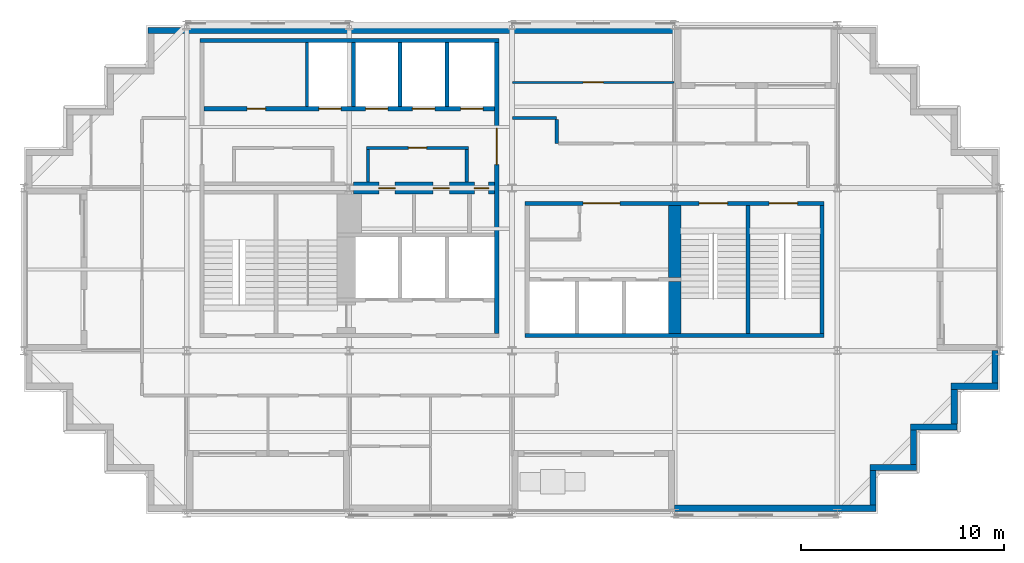
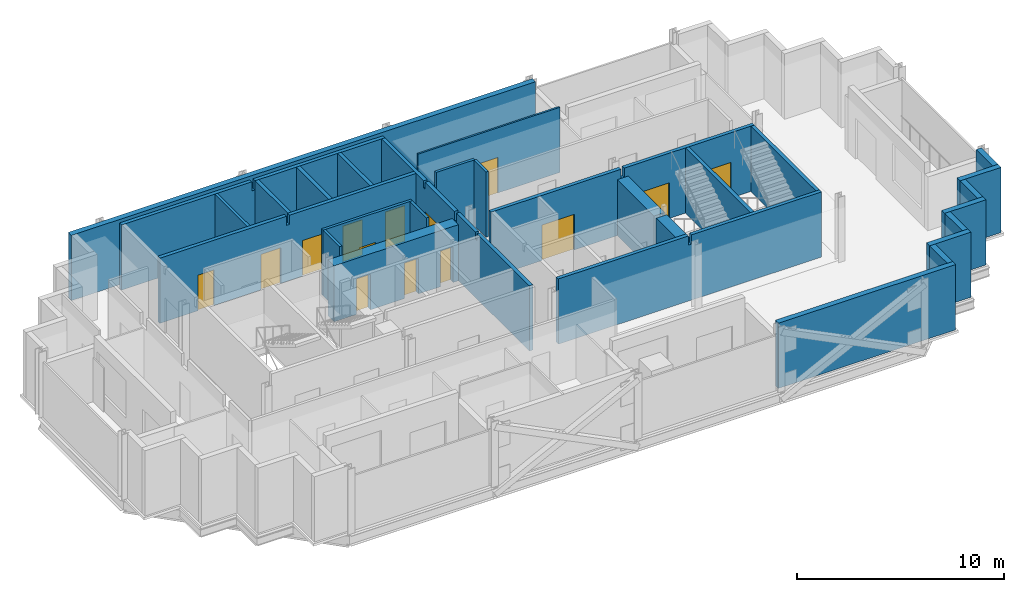
# One storey, part 6 of 10: 29 walls, 14 doors, 14 openings.
"""IFC4 building model written with IfcOpenShell, lengths in metres."""

from ifc_helpers import new_model, si_unit, direction, frame, frame_2d, origin, place, context, subcontext, project, spatial, polyline, rectangle, outline, extrude, material, layer, layer_set, type_object, element, fill, save


model = new_model("IFC4")

# Units and contexts
model_context = context("Model", 3, precision=1e-05, world=origin(), true_north=direction((0.0, 1.0)))
body_context = subcontext(model_context, "Body", "Model", "MODEL_VIEW")
ifc_project = project(units=[si_unit("LENGTHUNIT", "METRE"), si_unit("AREAUNIT", "SQUARE_METRE"), si_unit("VOLUMEUNIT", "CUBIC_METRE"), si_unit("PLANEANGLEUNIT", "RADIAN"), si_unit("MASSUNIT", "GRAM", prefix="KILO")], contexts=[model_context])

# Site, building, storey
site_placement = place(None, origin())
site = spatial("IfcSite", under=ifc_project, at=site_placement, CompositionType="ELEMENT")
building_placement = place(site_placement, origin())
building = spatial("IfcBuilding", under=site, at=building_placement, Name="Immortelle Media Tower", CompositionType="ELEMENT")
storey_placement = place(building_placement, frame((0.0, 0.0, 213.0)))
storey = spatial("IfcBuildingStorey", under=building, at=storey_placement, Name="L45", CompositionType="ELEMENT", Elevation=213.0)

# Wall, openings, doors
ifc_material_1 = material(Name="Fire-rated masonry blockwork", Category="masonry")
ifc_layer_1 = layer(ifc_material_1, 0.60009765625)
ifc_layer_set_1 = layer_set([ifc_layer_1], Name="Fire-rated masonry blockwork")
wall_type_1 = type_object("IfcWallType", Name="Core grid-line wall 600", PredefinedType="PARTITIONING", material=ifc_layer_set_1)
wall_1_placement = place(storey_placement, frame((16.20703125, 16.0, 0.0), z_axis=(0.0, 0.0, 1.0), x_axis=(1.0, 0.0, 0.0)))
wall_1 = element("IfcWall", 1, at=wall_1_placement, inside=storey, type_object=wall_type_1, Name="Core grid-line wall SW", PredefinedType="PARTITIONING", context=body_context, shape_type="SweptSolid", body=[
    extrude(rectangle(XDim=6.94287109375, YDim=0.60009765625, at=frame_2d((3.471435546875, 0.0))), origin(), (0.0, 0.0, 1.0), 3.30810546875),
])
opening_1_placement = place(wall_1_placement, frame((1.242919921875, 0.0, 0.0)))
opening_1 = element("IfcOpeningElement", 2, at=opening_1_placement, cuts=wall_1, Name="Opening O3-K010", PredefinedType="OPENING", context=body_context, shape_type="SweptSolid", body=[
    extrude(rectangle(XDim=0.800048828125, YDim=2.10009765625, at=frame_2d((0.39990234375, 1.050048828125))), frame((0.0, 0.31005859375, 0.0), z_axis=(0.0, -1.0, 0.0), x_axis=(1.0, 0.0, 0.0)), (0.0, 0.0, 1.0), 0.6201171875),
])
opening_2_placement = place(wall_1_placement, frame((3.91796875, 0.0, 0.0)))
opening_2 = element("IfcOpeningElement", 3, at=opening_2_placement, cuts=wall_1, Name="Opening O3-K015", PredefinedType="OPENING", context=body_context, shape_type="SweptSolid", body=[
    extrude(rectangle(XDim=0.800048828125, YDim=2.10009765625, at=frame_2d((0.39990234375, 1.050048828125))), frame((0.0, 0.31005859375, 0.0), z_axis=(0.0, -1.0, 0.0), x_axis=(1.0, 0.0, 0.0)), (0.0, 0.0, 1.0), 0.6201171875),
])
opening_3_placement = place(wall_1_placement, frame((6.64306640625, 0.0, 0.0), z_axis=(0.0, 0.0, 1.0), x_axis=(-1.0, 0.0, 0.0)))
opening_3 = element("IfcOpeningElement", 4, at=opening_3_placement, cuts=wall_1, Name="Opening O3-K018", PredefinedType="OPENING", context=body_context, shape_type="SweptSolid", body=[
    extrude(rectangle(XDim=0.699951171875, YDim=2.10009765625, at=frame_2d((0.35009765625, 1.050048828125))), frame((0.0, 0.31005859375, 0.0), z_axis=(0.0, -1.0, 0.0), x_axis=(1.0, 0.0, 0.0)), (0.0, 0.0, 1.0), 0.6201171875),
])
ifc_material_2 = material(Name="Galvanised steel door leaf and frame ASTM A653", Category="steel")
door_type_1 = type_object("IfcDoorType", Name="Service door 700 x 2100", OperationType="NOTDEFINED", PredefinedType="NOTDEFINED", material=ifc_material_2)
door_1_placement = place(opening_3_placement, origin())
door_1 = element("IfcDoor", 5, at=door_1_placement, inside=storey, type_object=door_type_1, Name="Service O3-K018", OperationType="SINGLE_SWING_RIGHT", OverallHeight=2.10009765625, OverallWidth=0.699951171875, PredefinedType="NOTDEFINED", context=body_context, shape_type="SweptSolid", body=[
    extrude(rectangle(XDim=0.699951171875, YDim=2.10009765625, at=frame_2d((0.35009765625, 1.050048828125))), frame((0.0, 0.02490234375, 0.0), z_axis=(0.0, -1.0, 0.0), x_axis=(1.0, 0.0, 0.0)), (0.0, 0.0, 1.0), 0.050048828125),
])
fill(opening_3, door_1)
ifc_material_3 = material(Name="Timber", Category="wood")
door_type_2 = type_object("IfcDoorType", Name="Toilet door 800 x 2100", OperationType="NOTDEFINED", PredefinedType="NOTDEFINED", material=ifc_material_3)
door_2_placement = place(opening_1_placement, origin())
door_2 = element("IfcDoor", 6, at=door_2_placement, inside=storey, type_object=door_type_2, Name="Toilet O3-K010", OperationType="SINGLE_SWING_LEFT", OverallHeight=2.10009765625, OverallWidth=0.800048828125, PredefinedType="NOTDEFINED", context=body_context, shape_type="SweptSolid", body=[
    extrude(rectangle(XDim=0.800048828125, YDim=2.10009765625, at=frame_2d((0.39990234375, 1.050048828125))), frame((0.0, 0.02490234375, 0.0), z_axis=(0.0, -1.0, 0.0), x_axis=(1.0, 0.0, 0.0)), (0.0, 0.0, 1.0), 0.050048828125),
])
fill(opening_1, door_2)
door_3_placement = place(opening_2_placement, origin())
door_3 = element("IfcDoor", 7, at=door_3_placement, inside=storey, type_object=door_type_2, Name="Toilet O3-K015", OperationType="SINGLE_SWING_RIGHT", OverallHeight=2.10009765625, OverallWidth=0.800048828125, PredefinedType="NOTDEFINED", context=body_context, shape_type="SweptSolid", body=[
    extrude(rectangle(XDim=0.800048828125, YDim=2.10009765625, at=frame_2d((0.39990234375, 1.050048828125))), frame((0.0, 0.02490234375, 0.0), z_axis=(0.0, -1.0, 0.0), x_axis=(1.0, 0.0, 0.0)), (0.0, 0.0, 1.0), 0.050048828125),
])
fill(opening_2, door_3)

# Walls
ifc_material_4 = material(Name="Fire-rated gypsum board", Category="gypsum")
ifc_layer_2 = layer(ifc_material_4, 0.02490234375)
ifc_material_5 = material(Name="Steel ASTM A653 SS Gr 50 stud frame with mineral wool", Category="steel")
ifc_layer_3 = layer(ifc_material_5, 0.10009765625)
ifc_layer_4 = layer(ifc_material_4, 0.02490234375)
ifc_layer_set_2 = layer_set([ifc_layer_2, ifc_layer_3, ifc_layer_4], Name="Steel ASTM A653 SS Gr 50 stud frame with mineral wool")
wall_type_2 = type_object("IfcWallType", Name="Core partition 150", PredefinedType="PARTITIONING", material=ifc_layer_set_2)
wall_2_placement = place(storey_placement, frame((13.925048828125, 20.0, 0.0), z_axis=(0.0, 0.0, 1.0), x_axis=(0.0, 1.0, 0.0)))
element("IfcWall", 8, at=wall_2_placement, inside=storey, type_object=wall_type_2, Name="Core partition SW", PredefinedType="PARTITIONING", context=body_context, shape_type="SweptSolid", body=[
    extrude(rectangle(XDim=3.14990234375, YDim=0.14990234375, at=frame_2d((1.574951171875, 0.0))), origin(), (0.0, 0.0, 1.0), 3.85009765625),
])
wall_3_placement = place(storey_placement, frame((16.925048828125, 16.300048828125, 0.0), z_axis=(0.0, 0.0, 1.0), x_axis=(0.0, 1.0, 0.0)))
element("IfcWall", 9, at=wall_3_placement, inside=storey, type_object=wall_type_2, Name="Core partition SW", PredefinedType="PARTITIONING", context=body_context, shape_type="SweptSolid", body=[
    extrude(rectangle(XDim=1.599853515625, YDim=0.14990234375, at=frame_2d((0.7998046875, 0.0))), origin(), (0.0, 0.0, 1.0), 3.85009765625),
])

# Wall, opening, door
wall_4_placement = place(storey_placement, frame((16.85009765625, 17.97509765625, 0.0), z_axis=(0.0, 0.0, 1.0), x_axis=(1.0, 0.0, 0.0)))
wall_4 = element("IfcWall", 10, at=wall_4_placement, inside=storey, type_object=wall_type_2, Name="Core partition SW", PredefinedType="PARTITIONING", context=body_context, shape_type="SweptSolid", body=[
    extrude(rectangle(XDim=5.0, YDim=0.14990234375, at=frame_2d((2.5, 0.0))), origin(), (0.0, 0.0, 1.0), 3.85009765625),
])
opening_4_placement = place(wall_4_placement, frame((2.949951171875, 0.0, 0.0), z_axis=(0.0, 0.0, 1.0), x_axis=(-1.0, 0.0, 0.0)))
opening_4 = element("IfcOpeningElement", 11, at=opening_4_placement, cuts=wall_4, Name="Opening O3-K011", PredefinedType="OPENING", context=body_context, shape_type="SweptSolid", body=[
    extrude(rectangle(XDim=0.89990234375, YDim=2.10009765625, at=frame_2d((0.449951171875, 1.050048828125))), frame((0.0, 0.0849609375, 0.0), z_axis=(0.0, -1.0, 0.0), x_axis=(1.0, 0.0, 0.0)), (0.0, 0.0, 1.0), 0.169921875),
])
door_type_3 = type_object("IfcDoorType", Name="Room door 900 x 2100", OperationType="NOTDEFINED", PredefinedType="NOTDEFINED", material=ifc_material_3)
door_4_placement = place(opening_4_placement, origin())
door_4 = element("IfcDoor", 12, at=door_4_placement, inside=storey, type_object=door_type_3, Name="Room O3-K011", OperationType="SINGLE_SWING_RIGHT", OverallHeight=2.10009765625, OverallWidth=0.89990234375, PredefinedType="NOTDEFINED", context=body_context, shape_type="SweptSolid", body=[
    extrude(rectangle(XDim=0.89990234375, YDim=2.10009765625, at=frame_2d((0.449951171875, 1.050048828125))), frame((0.0, 0.02490234375, 0.0), z_axis=(0.0, -1.0, 0.0), x_axis=(1.0, 0.0, 0.0)), (0.0, 0.0, 1.0), 0.050048828125),
])
fill(opening_4, door_4)

# Walls
wall_5_placement = place(storey_placement, frame((21.77490234375, 16.300048828125, 0.0), z_axis=(0.0, 0.0, 1.0), x_axis=(0.0, 1.0, 0.0)))
element("IfcWall", 13, at=wall_5_placement, inside=storey, type_object=wall_type_2, Name="Core partition SW", PredefinedType="PARTITIONING", context=body_context, shape_type="SweptSolid", body=[
    extrude(rectangle(XDim=1.599853515625, YDim=0.14990234375, at=frame_2d((0.7998046875, 0.0))), origin(), (0.0, 0.0, 1.0), 3.85009765625),
])
ifc_layer_5 = layer(ifc_material_4, 0.03759765625)
ifc_layer_6 = layer(ifc_material_5, 0.125)
ifc_layer_7 = layer(ifc_material_4, 0.03759765625)
ifc_layer_set_3 = layer_set([ifc_layer_5, ifc_layer_6, ifc_layer_7], Name="Steel ASTM A653 SS Gr 50 stud frame with mineral wool")
wall_type_3 = type_object("IfcWallType", Name="Core shaft wall 200", PredefinedType="PARTITIONING", material=ifc_layer_set_3)
wall_6_placement = place(storey_placement, frame((8.64990234375, 23.25, 0.0), z_axis=(0.0, 0.0, 1.0), x_axis=(1.0, 0.0, 0.0)))
element("IfcWall", 14, at=wall_6_placement, inside=storey, type_object=wall_type_3, Name="Core shaft wall SW", PredefinedType="PARTITIONING", context=body_context, shape_type="SweptSolid", body=[
    extrude(outline(polyline([(0.0, 0.0), (14.7001953125, 0.0), (14.699951171875, 3.85009765625), (7.4384765625, 3.85009765625), (7.4375, 3.30810546875), (7.262451171875, 3.30810546875), (7.261474609375, 3.85009765625), (0.0, 3.85009765625), (0.0, 0.0)])), frame((0.0, 0.10009765625, 0.0), z_axis=(0.0, -1.0, 0.0), x_axis=(1.0, 0.0, 0.0)), (0.0, 0.0, 1.0), 0.199951171875),
])

# Wall, openings, doors
wall_7_placement = place(storey_placement, frame((8.85009765625, 19.89990234375, 0.0), z_axis=(0.0, 0.0, 1.0), x_axis=(1.0, 0.0, 0.0)))
wall_7 = element("IfcWall", 15, at=wall_7_placement, inside=storey, type_object=wall_type_3, Name="Core shaft wall SW", PredefinedType="PARTITIONING", context=body_context, shape_type="SweptSolid", body=[
    extrude(outline(polyline([(0.0, 0.0), (14.2998046875, 0.0), (14.300048828125, 3.85009765625), (7.238525390625, 3.85009765625), (7.237548828125, 3.30810546875), (7.0625, 3.30810546875), (7.0615234375, 3.85009765625), (0.0, 3.85009765625), (0.0, 0.0)])), frame((0.0, 0.10009765625, 0.0), z_axis=(0.0, -1.0, 0.0), x_axis=(1.0, 0.0, 0.0)), (0.0, 0.0, 1.0), 0.199951171875),
])
opening_5_placement = place(wall_7_placement, frame((2.125, 0.0, 0.0)))
opening_5 = element("IfcOpeningElement", 16, at=opening_5_placement, cuts=wall_7, Name="Opening O3-K003", PredefinedType="OPENING", context=body_context, shape_type="SweptSolid", body=[
    extrude(rectangle(XDim=0.89990234375, YDim=2.10009765625, at=frame_2d((0.449951171875, 1.050048828125))), frame((0.0, 0.10986328125, 0.0), z_axis=(0.0, -1.0, 0.0), x_axis=(1.0, 0.0, 0.0)), (0.0, 0.0, 1.0), 0.219970703125),
])
opening_6_placement = place(wall_7_placement, frame((5.64990234375, 0.0, 0.0)))
opening_6 = element("IfcOpeningElement", 17, at=opening_6_placement, cuts=wall_7, Name="Opening LD", PredefinedType="OPENING", context=body_context, shape_type="SweptSolid", body=[
    extrude(rectangle(XDim=1.10009765625, YDim=2.10009765625, at=frame_2d((0.550048828125, 1.050048828125))), frame((0.0, 0.10986328125, 0.0), z_axis=(0.0, -1.0, 0.0), x_axis=(1.0, 0.0, 0.0)), (0.0, 0.0, 1.0), 0.219970703125),
])
opening_7_placement = place(wall_7_placement, frame((7.949951171875, 0.0, 0.0)))
opening_7 = element("IfcOpeningElement", 18, at=opening_7_placement, cuts=wall_7, Name="Opening LD", PredefinedType="OPENING", context=body_context, shape_type="SweptSolid", body=[
    extrude(rectangle(XDim=1.10009765625, YDim=2.10009765625, at=frame_2d((0.550048828125, 1.050048828125))), frame((0.0, 0.10986328125, 0.0), z_axis=(0.0, -1.0, 0.0), x_axis=(1.0, 0.0, 0.0)), (0.0, 0.0, 1.0), 0.219970703125),
])
opening_8_placement = place(wall_7_placement, frame((10.25, 0.0, 0.0)))
opening_8 = element("IfcOpeningElement", 19, at=opening_8_placement, cuts=wall_7, Name="Opening LD", PredefinedType="OPENING", context=body_context, shape_type="SweptSolid", body=[
    extrude(rectangle(XDim=1.10009765625, YDim=2.10009765625, at=frame_2d((0.550048828125, 1.050048828125))), frame((0.0, 0.10986328125, 0.0), z_axis=(0.0, -1.0, 0.0), x_axis=(1.0, 0.0, 0.0)), (0.0, 0.0, 1.0), 0.219970703125),
])
opening_9_placement = place(wall_7_placement, frame((12.625, 0.0, 0.0)))
opening_9 = element("IfcOpeningElement", 20, at=opening_9_placement, cuts=wall_7, Name="Opening LD", PredefinedType="OPENING", context=body_context, shape_type="SweptSolid", body=[
    extrude(rectangle(XDim=1.10009765625, YDim=2.10009765625, at=frame_2d((0.550048828125, 1.050048828125))), frame((0.0, 0.10986328125, 0.0), z_axis=(0.0, -1.0, 0.0), x_axis=(1.0, 0.0, 0.0)), (0.0, 0.0, 1.0), 0.219970703125),
])
ifc_material_6 = material(Name="Stainless steel AISI 304", Category="steel")
door_type_4 = type_object("IfcDoorType", Name="Landing door 1100 x 2100", OperationType="SLIDING_TO_LEFT", PredefinedType="NOTDEFINED", material=ifc_material_6)
door_5_placement = place(opening_6_placement, origin())
door_5 = element("IfcDoor", 21, at=door_5_placement, inside=storey, type_object=door_type_4, Name="Landing door HR1 L45", OperationType="SLIDING_TO_LEFT", OverallHeight=2.10009765625, OverallWidth=1.10009765625, PredefinedType="NOTDEFINED", context=body_context, shape_type="SweptSolid", body=[
    extrude(rectangle(XDim=1.10009765625, YDim=2.10009765625, at=frame_2d((0.550048828125, 1.050048828125))), frame((0.0, 0.02490234375, 0.0), z_axis=(0.0, -1.0, 0.0), x_axis=(1.0, 0.0, 0.0)), (0.0, 0.0, 1.0), 0.050048828125),
])
fill(opening_6, door_5)
door_6_placement = place(opening_7_placement, origin())
door_6 = element("IfcDoor", 22, at=door_6_placement, inside=storey, type_object=door_type_4, Name="Landing door HR2 L45", OperationType="SLIDING_TO_LEFT", OverallHeight=2.10009765625, OverallWidth=1.10009765625, PredefinedType="NOTDEFINED", context=body_context, shape_type="SweptSolid", body=[
    extrude(rectangle(XDim=1.10009765625, YDim=2.10009765625, at=frame_2d((0.550048828125, 1.050048828125))), frame((0.0, 0.02490234375, 0.0), z_axis=(0.0, -1.0, 0.0), x_axis=(1.0, 0.0, 0.0)), (0.0, 0.0, 1.0), 0.050048828125),
])
fill(opening_7, door_6)
door_7_placement = place(opening_8_placement, origin())
door_7 = element("IfcDoor", 23, at=door_7_placement, inside=storey, type_object=door_type_4, Name="Landing door HR3 L45", OperationType="SLIDING_TO_LEFT", OverallHeight=2.10009765625, OverallWidth=1.10009765625, PredefinedType="NOTDEFINED", context=body_context, shape_type="SweptSolid", body=[
    extrude(rectangle(XDim=1.10009765625, YDim=2.10009765625, at=frame_2d((0.550048828125, 1.050048828125))), frame((0.0, 0.02490234375, 0.0), z_axis=(0.0, -1.0, 0.0), x_axis=(1.0, 0.0, 0.0)), (0.0, 0.0, 1.0), 0.050048828125),
])
fill(opening_8, door_7)
door_8_placement = place(opening_9_placement, origin())
door_8 = element("IfcDoor", 24, at=door_8_placement, inside=storey, type_object=door_type_4, Name="Landing door HR4 L45", OperationType="SLIDING_TO_LEFT", OverallHeight=2.10009765625, OverallWidth=1.10009765625, PredefinedType="NOTDEFINED", context=body_context, shape_type="SweptSolid", body=[
    extrude(rectangle(XDim=1.10009765625, YDim=2.10009765625, at=frame_2d((0.550048828125, 1.050048828125))), frame((0.0, 0.02490234375, 0.0), z_axis=(0.0, -1.0, 0.0), x_axis=(1.0, 0.0, 0.0)), (0.0, 0.0, 1.0), 0.050048828125),
])
fill(opening_9, door_8)
door_9_placement = place(opening_5_placement, origin())
door_9 = element("IfcDoor", 25, at=door_9_placement, inside=storey, type_object=door_type_3, Name="Room O3-K003", OperationType="SINGLE_SWING_RIGHT", OverallHeight=2.10009765625, OverallWidth=0.89990234375, PredefinedType="NOTDEFINED", context=body_context, shape_type="SweptSolid", body=[
    extrude(rectangle(XDim=0.89990234375, YDim=2.10009765625, at=frame_2d((0.449951171875, 1.050048828125))), frame((0.0, 0.02490234375, 0.0), z_axis=(0.0, -1.0, 0.0), x_axis=(1.0, 0.0, 0.0)), (0.0, 0.0, 1.0), 0.050048828125),
])
fill(opening_5, door_9)

# Walls
for number, where, z_axis, x_axis, name in (
    (26, (16.199951171875, 20.0, 0.0), (0.0, 0.0, 1.0), (0.0, 1.0, 0.0), "Core shaft wall SW"),
    (27, (18.5, 20.0, 0.0), (0.0, 0.0, 1.0), (0.0, 1.0, 0.0), "Core shaft wall SW"),
    (28, (20.800048828125, 20.0, 0.0), (0.0, 0.0, 1.0), (0.0, 1.0, 0.0), "Core shaft wall SW"),
):
    element("IfcWall", number, at=place(storey_placement, frame(where, z_axis=z_axis, x_axis=x_axis)), inside=storey, type_object=wall_type_3, Name=name, PredefinedType="PARTITIONING", context=body_context, shape_type="SweptSolid", body=[
        extrude(rectangle(XDim=3.14990234375, YDim=0.199951171875, at=frame_2d((1.574951171875, 0.0))), origin(), (0.0, 0.0, 1.0), 3.85009765625),
    ])

# Wall, opening, door
wall_8_placement = place(storey_placement, frame((23.25, 8.85009765625, 0.0), z_axis=(0.0, 0.0, 1.0), x_axis=(0.0, 1.0, 0.0)))
wall_8 = element("IfcWall", 29, at=wall_8_placement, inside=storey, type_object=wall_type_3, Name="Core shaft wall SW", PredefinedType="PARTITIONING", context=body_context, shape_type="SweptSolid", body=[
    extrude(outline(polyline([(0.0, 0.0), (14.2998046875, 0.0), (14.300048828125, 3.85009765625), (10.22509765625, 3.85009765625), (10.22412109375, 3.43994140625), (10.075927734375, 3.43994140625), (10.074951171875, 3.85009765625), (7.238525390625, 3.85009765625), (7.237548828125, 3.30810546875), (7.0625, 3.30810546875), (7.0615234375, 3.85009765625), (5.22509765625, 3.85009765625), (5.22412109375, 3.43994140625), (5.075927734375, 3.43994140625), (5.074951171875, 3.85009765625), (0.0, 3.85009765625), (0.0, 0.0)])), frame((0.0, 0.10009765625, 0.0), z_axis=(0.0, -1.0, 0.0), x_axis=(1.0, 0.0, 0.0)), (0.0, 0.0, 1.0), 0.199951171875),
])
opening_10_placement = place(wall_8_placement, frame((8.300048828125, 0.0, 0.0)))
opening_10 = element("IfcOpeningElement", 30, at=opening_10_placement, cuts=wall_8, Name="Opening O3-K019", PredefinedType="OPENING", context=body_context, shape_type="SweptSolid", body=[
    extrude(rectangle(XDim=1.800048828125, YDim=2.10009765625, at=frame_2d((0.89990234375, 1.050048828125))), frame((0.0, 0.10986328125, 0.0), z_axis=(0.0, -1.0, 0.0), x_axis=(1.0, 0.0, 0.0)), (0.0, 0.0, 1.0), 0.219970703125),
])
door_type_5 = type_object("IfcDoorType", Name="Lift lobby door 1800 x 2100", OperationType="DOUBLE_DOOR_SINGLE_SWING", PredefinedType="NOTDEFINED", material=ifc_material_2)
door_10_placement = place(opening_10_placement, origin())
door_10 = element("IfcDoor", 31, at=door_10_placement, inside=storey, type_object=door_type_5, Name="Lift lobby O3-K019", OperationType="DOUBLE_DOOR_SINGLE_SWING", OverallHeight=2.10009765625, OverallWidth=1.800048828125, PredefinedType="NOTDEFINED", context=body_context, shape_type="SweptSolid", body=[
    extrude(rectangle(XDim=1.800048828125, YDim=2.10009765625, at=frame_2d((0.89990234375, 1.050048828125))), frame((0.0, 0.02490234375, 0.0), z_axis=(0.0, -1.0, 0.0), x_axis=(1.0, 0.0, 0.0)), (0.0, 0.0, 1.0), 0.050048828125),
])
fill(opening_10, door_10)

# Walls
ifc_layer_8 = layer(ifc_material_4, 0.012451171875)
ifc_layer_9 = layer(ifc_material_5, 0.125)
ifc_layer_10 = layer(ifc_material_4, 0.012451171875)
ifc_layer_set_4 = layer_set([ifc_layer_8, ifc_layer_9, ifc_layer_10], Name="Steel ASTM A653 SS Gr 50 stud frame with mineral wool")
wall_type_4 = type_object("IfcWallType", Name="Corridor wall 150", PredefinedType="PARTITIONING", material=ifc_layer_set_4)
wall_9_placement = place(storey_placement, frame((26.199951171875, 18.199951171875, 0.0), z_axis=(0.0, 0.0, 1.0), x_axis=(0.0, 1.0, 0.0)))
element("IfcWall", 32, at=wall_9_placement, inside=storey, type_object=wall_type_4, Name="Partition L45-019", PredefinedType="PARTITIONING", context=body_context, shape_type="SweptSolid", body=[
    extrude(rectangle(XDim=1.175048828125, YDim=0.14990234375, at=frame_2d((0.58740234375, 0.0))), origin(), (0.0, 0.0, 1.0), 3.85009765625),
])
wall_10_placement = place(storey_placement, frame((24.030029296875, 19.449951171875, 0.0), z_axis=(0.0, 0.0, 1.0), x_axis=(1.0, 0.0, 0.0)))
element("IfcWall", 33, at=wall_10_placement, inside=storey, type_object=wall_type_4, Name="Partition L45-023", PredefinedType="PARTITIONING", context=body_context, shape_type="SweptSolid", body=[
    extrude(rectangle(XDim=2.169921875, YDim=0.14990234375, at=frame_2d((1.0849609375, 0.0))), origin(), (0.0, 0.0, 1.0), 3.85009765625),
])
ifc_material_7 = material(Name="Pale aluminium cladding panel", Category="aluminium")
ifc_layer_11 = layer(ifc_material_7, 0.030029296875)
ifc_layer_12 = layer(ifc_material_5, 0.257568359375)
ifc_material_8 = material(Name="Moisture-resistant gypsum board", Category="gypsum")
ifc_layer_13 = layer(ifc_material_8, 0.012451171875)
ifc_layer_set_5 = layer_set([ifc_layer_11, ifc_layer_12, ifc_layer_13], Name="Steel ASTM A653 SS Gr 50 stud frame with mineral wool")
wall_type_5 = type_object("IfcWallType", Name="Facade wall 300", PredefinedType="SOLIDWALL", material=ifc_layer_set_5)
wall_11_placement = place(storey_placement, frame((32.0, 0.25, 0.0), z_axis=(0.0, 0.0, 1.0), x_axis=(1.0, 0.0, 0.0)))
element("IfcWall", 34, at=wall_11_placement, inside=storey, type_object=wall_type_5, Name="Facade wall L45 S6", PredefinedType="SOLIDWALL", context=body_context, shape_type="SweptSolid", body=[
    extrude(rectangle(XDim=9.89990234375, YDim=0.300048828125, at=frame_2d((4.949951171875, 0.0))), origin(), (0.0, 0.0, 1.0), 3.85009765625),
])
wall_12_placement = place(storey_placement, frame((41.75, 0.39990234375, 0.0), z_axis=(0.0, 0.0, 1.0), x_axis=(0.0, 1.0, 0.0)))
element("IfcWall", 35, at=wall_12_placement, inside=storey, type_object=wall_type_5, Name="Facade wall L45 E7", PredefinedType="SOLIDWALL", context=body_context, shape_type="SweptSolid", body=[
    extrude(rectangle(XDim=1.7001953125, YDim=0.300048828125, at=frame_2d((0.85009765625, 0.0))), origin(), (0.0, 0.0, 1.0), 3.85009765625),
])
wall_13_placement = place(storey_placement, frame((41.60009765625, 2.25, 0.0), z_axis=(0.0, 0.0, 1.0), x_axis=(1.0, 0.0, 0.0)))
element("IfcWall", 36, at=wall_13_placement, inside=storey, type_object=wall_type_5, Name="Facade wall L45 S8", PredefinedType="SOLIDWALL", context=body_context, shape_type="SweptSolid", body=[
    extrude(rectangle(XDim=2.2998046875, YDim=0.300048828125, at=frame_2d((1.14990234375, 0.0))), origin(), (0.0, 0.0, 1.0), 3.85009765625),
])
wall_14_placement = place(storey_placement, frame((43.75, 2.39990234375, 0.0), z_axis=(0.0, 0.0, 1.0), x_axis=(0.0, 1.0, 0.0)))
element("IfcWall", 37, at=wall_14_placement, inside=storey, type_object=wall_type_5, Name="Facade wall L45 E9", PredefinedType="SOLIDWALL", context=body_context, shape_type="SweptSolid", body=[
    extrude(rectangle(XDim=1.7001953125, YDim=0.300048828125, at=frame_2d((0.85009765625, 0.0))), origin(), (0.0, 0.0, 1.0), 3.85009765625),
])
wall_15_placement = place(storey_placement, frame((43.60009765625, 4.25, 0.0), z_axis=(0.0, 0.0, 1.0), x_axis=(1.0, 0.0, 0.0)))
element("IfcWall", 38, at=wall_15_placement, inside=storey, type_object=wall_type_5, Name="Facade wall L45 S10", PredefinedType="SOLIDWALL", context=body_context, shape_type="SweptSolid", body=[
    extrude(rectangle(XDim=2.2998046875, YDim=0.300048828125, at=frame_2d((1.14990234375, 0.0))), origin(), (0.0, 0.0, 1.0), 3.85009765625),
])
wall_16_placement = place(storey_placement, frame((45.75, 4.39990234375, 0.0), z_axis=(0.0, 0.0, 1.0), x_axis=(0.0, 1.0, 0.0)))
element("IfcWall", 39, at=wall_16_placement, inside=storey, type_object=wall_type_5, Name="Facade wall L45 E11", PredefinedType="SOLIDWALL", context=body_context, shape_type="SweptSolid", body=[
    extrude(rectangle(XDim=1.7001953125, YDim=0.300048828125, at=frame_2d((0.85009765625, 0.0))), origin(), (0.0, 0.0, 1.0), 3.85009765625),
])
wall_17_placement = place(storey_placement, frame((45.60009765625, 6.25, 0.0), z_axis=(0.0, 0.0, 1.0), x_axis=(1.0, 0.0, 0.0)))
element("IfcWall", 40, at=wall_17_placement, inside=storey, type_object=wall_type_5, Name="Facade wall L45 S12", PredefinedType="SOLIDWALL", context=body_context, shape_type="SweptSolid", body=[
    extrude(rectangle(XDim=2.2998046875, YDim=0.300048828125, at=frame_2d((1.14990234375, 0.0))), origin(), (0.0, 0.0, 1.0), 3.85009765625),
])
wall_18_placement = place(storey_placement, frame((47.75, 6.39990234375, 0.0), z_axis=(0.0, 0.0, 1.0), x_axis=(0.0, 1.0, 0.0)))
element("IfcWall", 41, at=wall_18_placement, inside=storey, type_object=wall_type_5, Name="Facade wall L45 E13", PredefinedType="SOLIDWALL", context=body_context, shape_type="SweptSolid", body=[
    extrude(rectangle(XDim=1.60009765625, YDim=0.300048828125, at=frame_2d((0.800048828125, 0.0))), origin(), (0.0, 0.0, 1.0), 3.85009765625),
])
wall_19_placement = place(storey_placement, frame((32.0, 23.75, 0.0), z_axis=(0.0, 0.0, 1.0), x_axis=(-1.0, 0.0, 0.0)))
element("IfcWall", 42, at=wall_19_placement, inside=storey, type_object=wall_type_5, Name="Facade wall L45 N20", PredefinedType="SOLIDWALL", context=body_context, shape_type="SweptSolid", body=[
    extrude(rectangle(XDim=25.89990234375, YDim=0.300048828125, at=frame_2d((12.949951171875, 0.0))), origin(), (0.0, 0.0, 1.0), 3.85009765625),
])

# Wall, opening, door
ifc_material_9 = material(Name="Gypsum board", Category="gypsum")
ifc_layer_14 = layer(ifc_material_9, 0.012451171875)
ifc_layer_15 = layer(ifc_material_5, 0.074951171875)
ifc_layer_16 = layer(ifc_material_9, 0.012451171875)
ifc_layer_set_6 = layer_set([ifc_layer_14, ifc_layer_15, ifc_layer_16], Name="Steel ASTM A653 SS Gr 50 stud frame with mineral wool")
wall_type_6 = type_object("IfcWallType", Name="Partition 100", PredefinedType="PARTITIONING", material=ifc_layer_set_6)
wall_20_placement = place(storey_placement, frame((24.030029296875, 21.199951171875, 0.0), z_axis=(0.0, 0.0, 1.0), x_axis=(1.0, 0.0, 0.0)))
wall_20 = element("IfcWall", 43, at=wall_20_placement, inside=storey, type_object=wall_type_6, Name="Partition L45-024", PredefinedType="PARTITIONING", context=body_context, shape_type="SweptSolid", body=[
    extrude(rectangle(XDim=7.93994140625, YDim=0.10009765625, at=frame_2d((3.969970703125, 0.0))), origin(), (0.0, 0.0, 1.0), 3.85009765625),
])
opening_11_placement = place(wall_20_placement, frame((3.469970703125, 0.0, 0.0)))
opening_11 = element("IfcOpeningElement", 44, at=opening_11_placement, cuts=wall_20, Name="Opening O3-F014", PredefinedType="OPENING", context=body_context, shape_type="SweptSolid", body=[
    extrude(rectangle(XDim=1.0, YDim=2.10009765625, at=frame_2d((0.5, 1.050048828125))), frame((0.0, 0.06005859375, 0.0), z_axis=(0.0, -1.0, 0.0), x_axis=(1.0, 0.0, 0.0)), (0.0, 0.0, 1.0), 0.1201171875),
])
ifc_material_10 = material(Name="Timber veneered door leaf, galvanised steel frame ASTM A653", Category="steel")
door_type_6 = type_object("IfcDoorType", Name="Room door 1000 x 2100", OperationType="NOTDEFINED", PredefinedType="DOOR", material=ifc_material_10)
door_11_placement = place(opening_11_placement, origin())
door_11 = element("IfcDoor", 45, at=door_11_placement, inside=storey, type_object=door_type_6, Name="Door O3-F014", OperationType="SINGLE_SWING_RIGHT", OverallHeight=2.10009765625, OverallWidth=1.0, PredefinedType="DOOR", context=body_context, shape_type="SweptSolid", body=[
    extrude(rectangle(XDim=1.0, YDim=2.10009765625, at=frame_2d((0.5, 1.050048828125))), frame((0.0, 0.02490234375, 0.0), z_axis=(0.0, -1.0, 0.0), x_axis=(1.0, 0.0, 0.0)), (0.0, 0.0, 1.0), 0.050048828125),
])
fill(opening_11, door_11)

# Wall
ifc_material_11 = material(Name="Concrete C60", Category="concrete")
ifc_layer_17 = layer(ifc_material_11, 0.199951171875)
ifc_layer_set_7 = layer_set([ifc_layer_17], Name="Concrete C60")
wall_type_7 = type_object("IfcWallType", Name="Stair shaft wall 200", PredefinedType="PARTITIONING", material=ifc_layer_set_7)
wall_21_placement = place(storey_placement, frame((24.64990234375, 8.75, 0.0), z_axis=(0.0, 0.0, 1.0), x_axis=(1.0, 0.0, 0.0)))
element("IfcWall", 46, at=wall_21_placement, inside=storey, type_object=wall_type_7, Name="Stair shaft wall SE", PredefinedType="PARTITIONING", context=body_context, shape_type="SweptSolid", body=[
    extrude(outline(polyline([(0.0, 0.0), (14.7001953125, 0.0), (14.699951171875, 3.85009765625), (7.4384765625, 3.85009765625), (7.4375, 3.30810546875), (7.262451171875, 3.30810546875), (7.261474609375, 3.85009765625), (0.0, 3.85009765625), (0.0, 0.0)])), frame((0.0, 0.10009765625, 0.0), z_axis=(0.0, -1.0, 0.0), x_axis=(1.0, 0.0, 0.0)), (0.0, 0.0, 1.0), 0.199951171875),
])

# Wall, openings, doors
wall_22_placement = place(storey_placement, frame((24.64990234375, 15.25, 0.0), z_axis=(0.0, 0.0, 1.0), x_axis=(1.0, 0.0, 0.0)))
wall_22 = element("IfcWall", 47, at=wall_22_placement, inside=storey, type_object=wall_type_7, Name="Stair shaft wall SE", PredefinedType="PARTITIONING", context=body_context, shape_type="SweptSolid", body=[
    extrude(outline(polyline([(0.0, 0.0), (14.7001953125, 0.0), (14.699951171875, 3.85009765625), (7.4384765625, 3.85009765625), (7.4375, 3.30810546875), (7.262451171875, 3.30810546875), (7.261474609375, 3.85009765625), (0.0, 3.85009765625), (0.0, 0.0)])), frame((0.0, 0.10009765625, 0.0), z_axis=(0.0, -1.0, 0.0), x_axis=(1.0, 0.0, 0.0)), (0.0, 0.0, 1.0), 0.199951171875),
])
opening_12_placement = place(wall_22_placement, frame((2.85009765625, 0.0, 0.0)))
opening_12 = element("IfcOpeningElement", 48, at=opening_12_placement, cuts=wall_22, Name="Opening O3-K023", PredefinedType="OPENING", context=body_context, shape_type="SweptSolid", body=[
    extrude(rectangle(XDim=1.800048828125, YDim=2.10009765625, at=frame_2d((0.89990234375, 1.050048828125))), frame((0.0, 0.10986328125, 0.0), z_axis=(0.0, -1.0, 0.0), x_axis=(1.0, 0.0, 0.0)), (0.0, 0.0, 1.0), 0.219970703125),
])
opening_13_placement = place(wall_22_placement, frame((9.949951171875, 0.0, 0.0), z_axis=(0.0, 0.0, 1.0), x_axis=(-1.0, 0.0, 0.0)))
opening_13 = element("IfcOpeningElement", 49, at=opening_13_placement, cuts=wall_22, Name="Opening O3-K025", PredefinedType="OPENING", context=body_context, shape_type="SweptSolid", body=[
    extrude(rectangle(XDim=1.39990234375, YDim=2.10009765625, at=frame_2d((0.699951171875, 1.050048828125))), frame((0.0, 0.10986328125, 0.0), z_axis=(0.0, -1.0, 0.0), x_axis=(1.0, 0.0, 0.0)), (0.0, 0.0, 1.0), 0.219970703125),
])
opening_14_placement = place(wall_22_placement, frame((13.39990234375, 0.0, 0.0), z_axis=(0.0, 0.0, 1.0), x_axis=(-1.0, 0.0, 0.0)))
opening_14 = element("IfcOpeningElement", 50, at=opening_14_placement, cuts=wall_22, Name="Opening O3-K026", PredefinedType="OPENING", context=body_context, shape_type="SweptSolid", body=[
    extrude(rectangle(XDim=1.39990234375, YDim=2.10009765625, at=frame_2d((0.699951171875, 1.050048828125))), frame((0.0, 0.10986328125, 0.0), z_axis=(0.0, -1.0, 0.0), x_axis=(1.0, 0.0, 0.0)), (0.0, 0.0, 1.0), 0.219970703125),
])
door_12_placement = place(opening_12_placement, origin())
door_12 = element("IfcDoor", 51, at=door_12_placement, inside=storey, type_object=door_type_5, Name="Lift lobby O3-K023", OperationType="DOUBLE_DOOR_SINGLE_SWING", OverallHeight=2.10009765625, OverallWidth=1.800048828125, PredefinedType="NOTDEFINED", context=body_context, shape_type="SweptSolid", body=[
    extrude(rectangle(XDim=1.800048828125, YDim=2.10009765625, at=frame_2d((0.89990234375, 1.050048828125))), frame((0.0, 0.02490234375, 0.0), z_axis=(0.0, -1.0, 0.0), x_axis=(1.0, 0.0, 0.0)), (0.0, 0.0, 1.0), 0.050048828125),
])
fill(opening_12, door_12)
door_type_7 = type_object("IfcDoorType", Name="Stair door 1400 x 2100", OperationType="DOUBLE_DOOR_SINGLE_SWING", PredefinedType="NOTDEFINED", material=ifc_material_2)
door_13_placement = place(opening_13_placement, origin())
door_13 = element("IfcDoor", 52, at=door_13_placement, inside=storey, type_object=door_type_7, Name="Stair O3-K025", OperationType="DOUBLE_DOOR_SINGLE_SWING", OverallHeight=2.10009765625, OverallWidth=1.39990234375, PredefinedType="NOTDEFINED", context=body_context, shape_type="SweptSolid", body=[
    extrude(rectangle(XDim=1.39990234375, YDim=2.10009765625, at=frame_2d((0.699951171875, 1.050048828125))), frame((0.0, 0.02490234375, 0.0), z_axis=(0.0, -1.0, 0.0), x_axis=(1.0, 0.0, 0.0)), (0.0, 0.0, 1.0), 0.050048828125),
])
fill(opening_13, door_13)
door_14_placement = place(opening_14_placement, origin())
door_14 = element("IfcDoor", 53, at=door_14_placement, inside=storey, type_object=door_type_7, Name="Stair O3-K026", OperationType="DOUBLE_DOOR_SINGLE_SWING", OverallHeight=2.10009765625, OverallWidth=1.39990234375, PredefinedType="NOTDEFINED", context=body_context, shape_type="SweptSolid", body=[
    extrude(rectangle(XDim=1.39990234375, YDim=2.10009765625, at=frame_2d((0.699951171875, 1.050048828125))), frame((0.0, 0.02490234375, 0.0), z_axis=(0.0, -1.0, 0.0), x_axis=(1.0, 0.0, 0.0)), (0.0, 0.0, 1.0), 0.050048828125),
])
fill(opening_14, door_14)

# Walls
for number, where, z_axis, x_axis, name in (
    (54, (35.60009765625, 8.85009765625, 0.0), (0.0, 0.0, 1.0), (0.0, 1.0, 0.0), "Stair shaft wall SE"),
    (55, (39.25, 8.85009765625, 0.0), (0.0, 0.0, 1.0), (0.0, 1.0, 0.0), "Stair shaft wall SE"),
):
    element("IfcWall", number, at=place(storey_placement, frame(where, z_axis=z_axis, x_axis=x_axis)), inside=storey, type_object=wall_type_7, Name=name, PredefinedType="PARTITIONING", context=body_context, shape_type="SweptSolid", body=[
        extrude(rectangle(XDim=6.2998046875, YDim=0.199951171875, at=frame_2d((3.14990234375, 0.0))), origin(), (0.0, 0.0, 1.0), 3.85009765625),
    ])
ifc_layer_18 = layer(ifc_material_11, 0.60009765625)
ifc_layer_set_8 = layer_set([ifc_layer_18], Name="Concrete C60")
wall_type_8 = type_object("IfcWallType", Name="Stair shaft wall 600", PredefinedType="PARTITIONING", material=ifc_layer_set_8)
wall_23_placement = place(storey_placement, frame((32.0, 8.85009765625, 0.0), z_axis=(0.0, 0.0, 1.0), x_axis=(0.0, 1.0, 0.0)))
element("IfcWall", 56, at=wall_23_placement, inside=storey, type_object=wall_type_8, Name="Stair shaft wall SE", PredefinedType="PARTITIONING", context=body_context, shape_type="SweptSolid", body=[
    extrude(rectangle(XDim=2.5498046875, YDim=0.60009765625, at=frame_2d((1.27490234375, 0.0))), origin(), (0.0, 0.0, 1.0), 3.30810546875),
])
wall_24_placement = place(storey_placement, frame((32.0, 11.60009765625, 0.0), z_axis=(0.0, 0.0, 1.0), x_axis=(0.0, 1.0, 0.0)))
element("IfcWall", 57, at=wall_24_placement, inside=storey, type_object=wall_type_8, Name="Stair shaft wall SE", PredefinedType="PARTITIONING", context=body_context, shape_type="SweptSolid", body=[
    extrude(rectangle(XDim=3.5498046875, YDim=0.60009765625, at=frame_2d((1.77490234375, 0.0))), origin(), (0.0, 0.0, 1.0), 3.30810546875),
])

save(model, "model.ifc")
